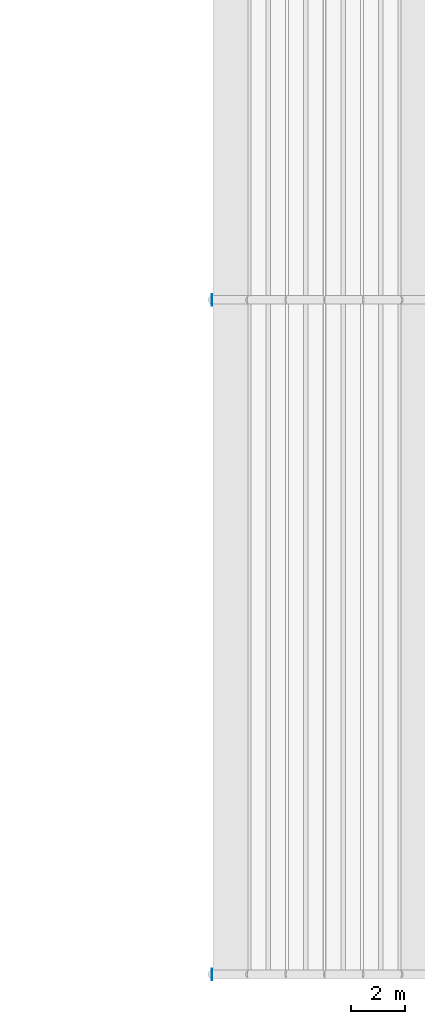
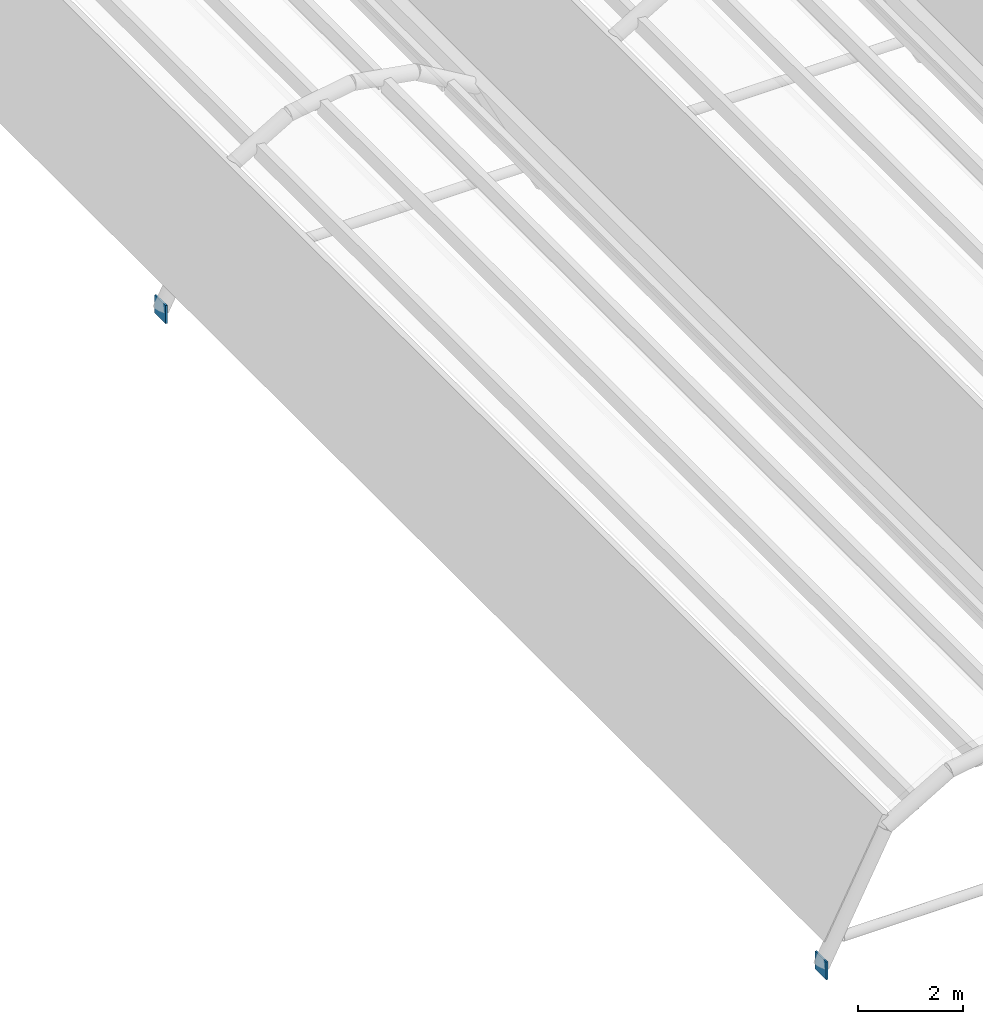
# One storey, part 96 of 114: 2 plates.
"""IFC4 building model written with IfcOpenShell, lengths in metres."""

from ifc_helpers import new_model, si_unit, direction, frame, origin, origin_2d, place, context, subcontext, project, spatial, rectangle, extrude, material, layer, layer_set, type_object, element, save


model = new_model("IFC4")

# Units and contexts
model_context = context("Model", 3, precision=1e-05, world=origin(), true_north=direction((0.0, 1.0)))
body_context = subcontext(model_context, "Body", "Model", "MODEL_VIEW")
ifc_project = project(units=[si_unit("LENGTHUNIT", "METRE"), si_unit("AREAUNIT", "SQUARE_METRE"), si_unit("VOLUMEUNIT", "CUBIC_METRE"), si_unit("PLANEANGLEUNIT", "RADIAN"), si_unit("MASSUNIT", "GRAM", prefix="KILO")], contexts=[model_context])

# Site, building, storey
site_placement = place(None, origin())
site = spatial("IfcSite", under=ifc_project, at=site_placement, CompositionType="ELEMENT")
building_placement = place(site_placement, origin())
building = spatial("IfcBuilding", under=site, at=building_placement, Name="Xazarin Passage Department Store", CompositionType="ELEMENT")
storey_placement = place(building_placement, frame((0.0, 0.0, 14.39990234375)))
storey = spatial("IfcBuildingStorey", under=building, at=storey_placement, Name="L03", CompositionType="ELEMENT", Elevation=14.39990234375)

# Plates
ifc_material = material(Name="Steel S355", Category="steel")
ifc_layer = layer(ifc_material, 0.02001953125)
ifc_layer_set = layer_set([ifc_layer], Name="Steel S355")
plate_type = type_object("IfcPlateType", Name="STR-PLT-CAP20", PredefinedType="USERDEFINED", material=ifc_layer_set)
for number, where, z_axis, x_axis, name in (
    (1, (8.39990234375, 0.0, -0.2099609375), (0.0, 0.0, 1.0), (1.0, 0.0, 0.0), "L03 V3 Shell Arch Rib End Cap 1.1.W"),
    (2, (8.39990234375, 25.199951171875, -0.2099609375), (0.0, 0.0, 1.0), (1.0, 0.0, 0.0), "L03 V3 Shell Arch Rib End Cap 1.2.W"),
):
    element("IfcPlate", number, at=place(storey_placement, frame(where, z_axis=z_axis, x_axis=x_axis)), inside=storey, type_object=plate_type, Name=name, ObjectType="GUSSET PLATE", PredefinedType="USERDEFINED", context=body_context, shape_type="SweptSolid", body=[
        extrude(rectangle(XDim=0.035888671875, YDim=0.419921875, at=origin_2d()), origin(), (0.0, 0.0, 1.0), 0.419921875),
    ])

save(model, "model.ifc")
